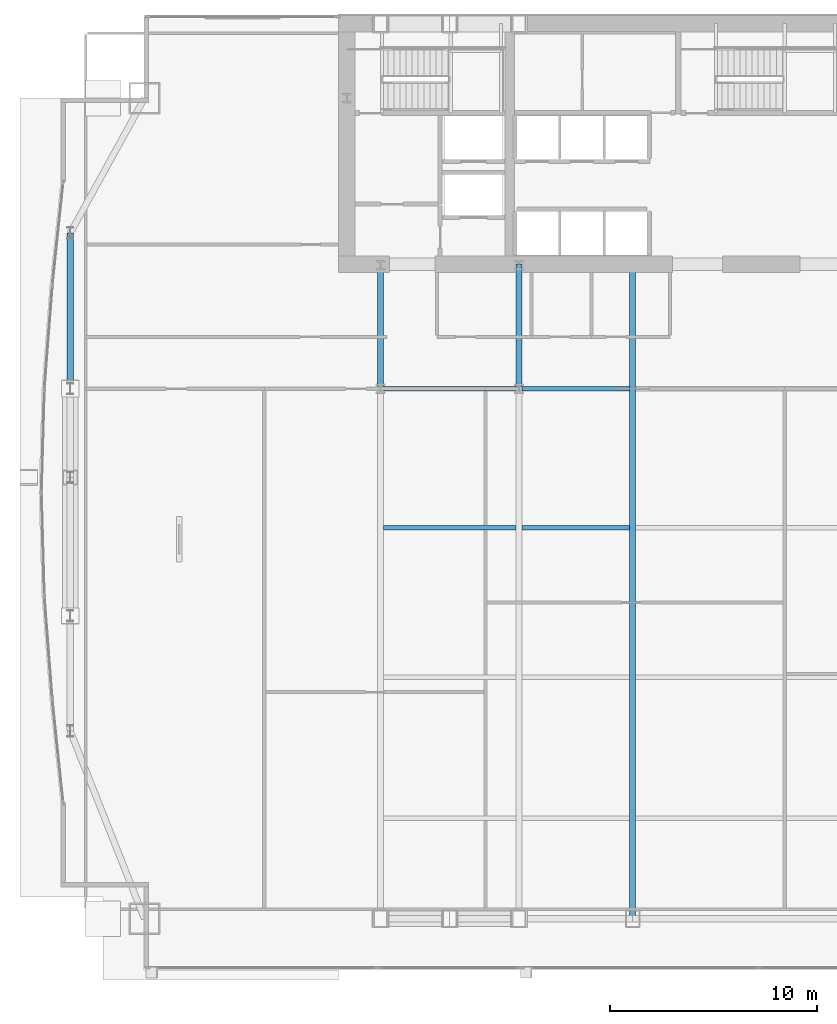
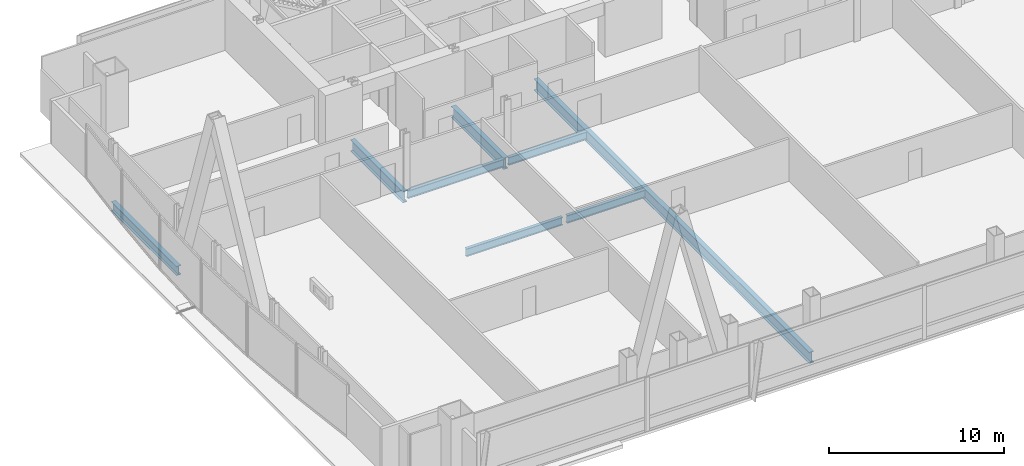
# One storey, part 11 of 32: 8 beams.
"""IFC4 building model written with IfcOpenShell, lengths in metres."""

from ifc_helpers import new_model, si_unit, direction, frame, origin, origin_2d, place, context, subcontext, project, spatial, i_section, extrude, material, material_profile, profile_set, type_object, element, save


model = new_model("IFC4")

# Units and contexts
model_context = context("Model", 3, precision=1e-05, world=origin(), true_north=direction((0.0, 1.0)))
body_context = subcontext(model_context, "Body", "Model", "MODEL_VIEW")
ifc_project = project(units=[si_unit("LENGTHUNIT", "METRE"), si_unit("AREAUNIT", "SQUARE_METRE"), si_unit("VOLUMEUNIT", "CUBIC_METRE"), si_unit("PLANEANGLEUNIT", "RADIAN"), si_unit("MASSUNIT", "GRAM", prefix="KILO")], contexts=[model_context])

# Site, building, storey
site_placement = place(None, origin())
site = spatial("IfcSite", under=ifc_project, at=site_placement, CompositionType="ELEMENT")
building_placement = place(site_placement, origin())
building = spatial("IfcBuilding", under=site, at=building_placement, Name="Khoronbel Lancet Exchange", CompositionType="ELEMENT")
storey_placement = place(building_placement, frame((0.0, 0.0, 81.800048828125)))
storey = spatial("IfcBuildingStorey", under=building, at=storey_placement, Name="L19", CompositionType="ELEMENT", Elevation=81.800048828125)

# Beams
ifc_material = material(Name="Steel S355", Category="steel")
ifc_material_profile_1 = material_profile(ifc_material, i_section(OverallWidth=0.300048828125, OverallDepth=0.800048828125, WebThickness=0.017578125, FlangeThickness=0.032958984375, at=origin_2d()), Name="HEB 800")
ifc_profile_set_1 = profile_set([ifc_material_profile_1], Name="Steel S355")
beam_type_1 = type_object("IfcBeamType", Name="BM-BG2", PredefinedType="BEAM", material=ifc_profile_set_1)
for number, where, z_axis, x_axis, name in (
    (1, (18.22509765625, 35.699951171875, -0.580078125), (0.0, 1.0, 0.0), (-1.0, 0.0, 0.0), "Level L19 spine tie girder GN1"),
    (2, (24.89990234375, 35.699951171875, -0.580078125), (0.0, 1.0, 0.0), (-1.0, 0.0, 0.0), "Level L19 spine tie girder GN2"),
):
    element("IfcBeam", number, at=place(storey_placement, frame(where, z_axis=z_axis, x_axis=x_axis)), inside=storey, type_object=beam_type_1, Name=name, PredefinedType="BEAM", context=body_context, shape_type="SweptSolid", body=[
        extrude(i_section(OverallWidth=0.300048828125, OverallDepth=0.800048828125, WebThickness=0.017578125, FlangeThickness=0.032958984375, at=origin_2d()), origin(), (0.0, 0.0, 1.0), 6.0),
    ])
beam_1_placement = place(storey_placement, frame((30.375, 10.14990234375, -0.580078125), z_axis=(0.0, 1.0, 0.0), x_axis=(-1.0, 0.0, 0.0)))
element("IfcBeam", 3, at=beam_1_placement, inside=storey, type_object=beam_type_1, Name="Level L19 primary floor girder G3", PredefinedType="BEAM", context=body_context, shape_type="SweptSolid", body=[
    extrude(i_section(OverallWidth=0.300048828125, OverallDepth=0.800048828125, WebThickness=0.017578125, FlangeThickness=0.032958984375, at=origin_2d()), origin(), (0.0, 0.0, 1.0), 31.550048828125),
])
ifc_material_profile_2 = material_profile(ifc_material, i_section(OverallWidth=0.2099609375, OverallDepth=0.550048828125, WebThickness=0.010986328125, FlangeThickness=0.01708984375, at=origin_2d()), Name="IPE 550")
ifc_profile_set_2 = profile_set([ifc_material_profile_2], Name="Steel S355")
beam_type_2 = type_object("IfcBeamType", Name="BM-BJ2", PredefinedType="JOIST", material=ifc_profile_set_2)
beam_2_placement = place(storey_placement, frame((18.375, 29.0, -0.455078125), z_axis=(1.0, 0.0, 0.0), x_axis=(0.0, 1.0, 0.0)))
element("IfcBeam", 4, at=beam_2_placement, inside=storey, type_object=beam_type_2, Name="Level L19 secondary composite joist J11", PredefinedType="JOIST", context=body_context, shape_type="SweptSolid", body=[
    extrude(i_section(OverallWidth=0.2099609375, OverallDepth=0.550048828125, WebThickness=0.010986328125, FlangeThickness=0.01708984375, at=origin_2d()), origin(), (0.0, 0.0, 1.0), 6.375),
])
beam_3_placement = place(storey_placement, frame((25.050048828125, 29.0, -0.455078125), z_axis=(1.0, 0.0, 0.0), x_axis=(0.0, 1.0, 0.0)))
element("IfcBeam", 5, at=beam_3_placement, inside=storey, type_object=beam_type_2, Name="Level L19 secondary composite joist J12", PredefinedType="JOIST", context=body_context, shape_type="SweptSolid", body=[
    extrude(i_section(OverallWidth=0.2099609375, OverallDepth=0.550048828125, WebThickness=0.010986328125, FlangeThickness=0.01708984375, at=origin_2d()), origin(), (0.0, 0.0, 1.0), 5.175048828125),
])
beam_4_placement = place(storey_placement, frame((18.375, 35.699951171875, -0.455078125), z_axis=(1.0, 0.0, 0.0), x_axis=(0.0, 1.0, 0.0)))
element("IfcBeam", 6, at=beam_4_placement, inside=storey, type_object=beam_type_2, Name="Level L19 secondary composite joist J16", PredefinedType="JOIST", context=body_context, shape_type="SweptSolid", body=[
    extrude(i_section(OverallWidth=0.2099609375, OverallDepth=0.550048828125, WebThickness=0.010986328125, FlangeThickness=0.01708984375, at=origin_2d()), origin(), (0.0, 0.0, 1.0), 6.375),
])
beam_5_placement = place(storey_placement, frame((25.050048828125, 35.699951171875, -0.455078125), z_axis=(1.0, 0.0, 0.0), x_axis=(0.0, 1.0, 0.0)))
element("IfcBeam", 7, at=beam_5_placement, inside=storey, type_object=beam_type_2, Name="Level L19 secondary composite joist J17", PredefinedType="JOIST", context=body_context, shape_type="SweptSolid", body=[
    extrude(i_section(OverallWidth=0.2099609375, OverallDepth=0.550048828125, WebThickness=0.010986328125, FlangeThickness=0.01708984375, at=origin_2d()), origin(), (0.0, 0.0, 1.0), 5.175048828125),
])
ifc_material_profile_3 = material_profile(ifc_material, i_section(OverallWidth=0.300048828125, OverallDepth=0.64990234375, WebThickness=0.01611328125, FlangeThickness=0.031005859375, at=origin_2d()), Name="HEB 650")
ifc_profile_set_3 = profile_set([ifc_material_profile_3], Name="Steel S355")
beam_type_3 = type_object("IfcBeamType", Name="BM-BSP1", PredefinedType="SPANDREL", material=ifc_profile_set_3)
beam_6_placement = place(storey_placement, frame((3.27001953125, 43.199951171875, -0.505126953125), z_axis=(0.0, -1.0, 0.0), x_axis=(1.0, 0.0, 0.0)))
element("IfcBeam", 8, at=beam_6_placement, inside=storey, type_object=beam_type_3, Name="Level L19 perimeter spandrel beam SP15", PredefinedType="SPANDREL", context=body_context, shape_type="SweptSolid", body=[
    extrude(i_section(OverallWidth=0.300048828125, OverallDepth=0.64990234375, WebThickness=0.01611328125, FlangeThickness=0.031005859375, at=origin_2d()), origin(), (0.0, 0.0, 1.0), 7.5),
])

save(model, "model.ifc")
